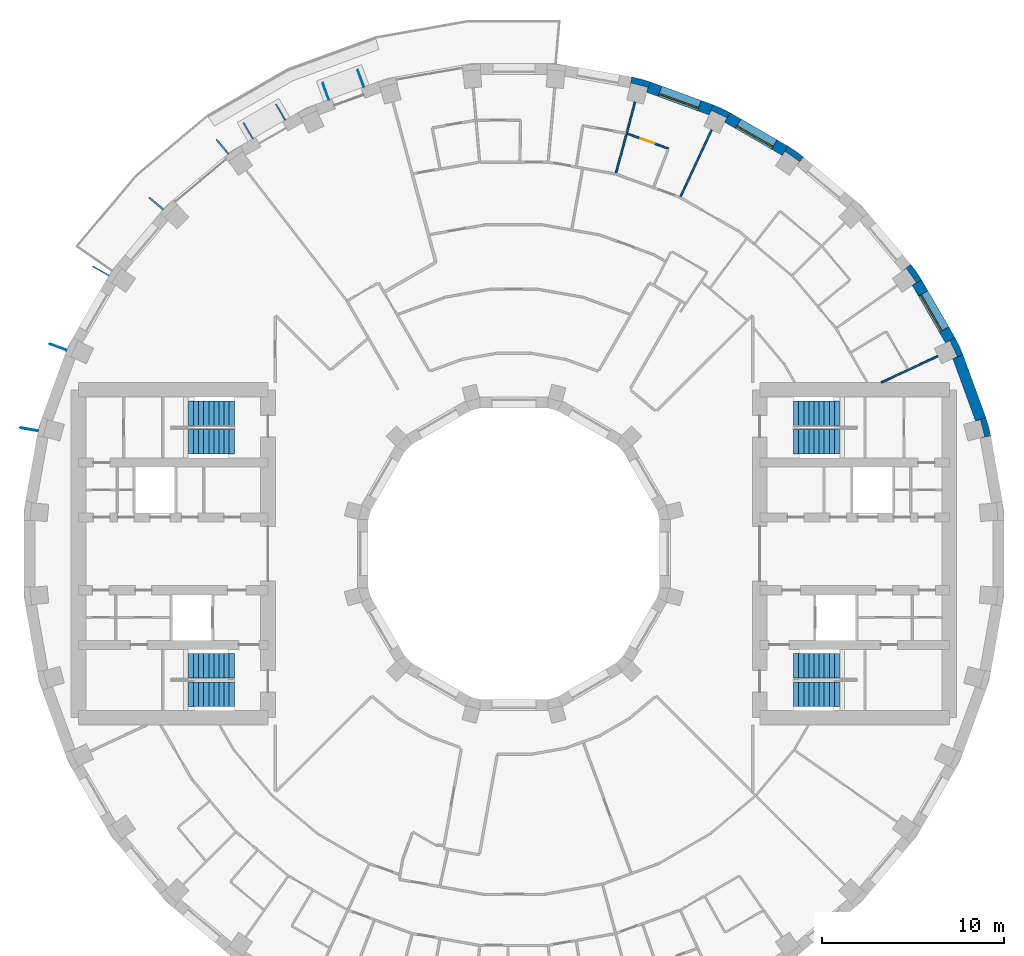
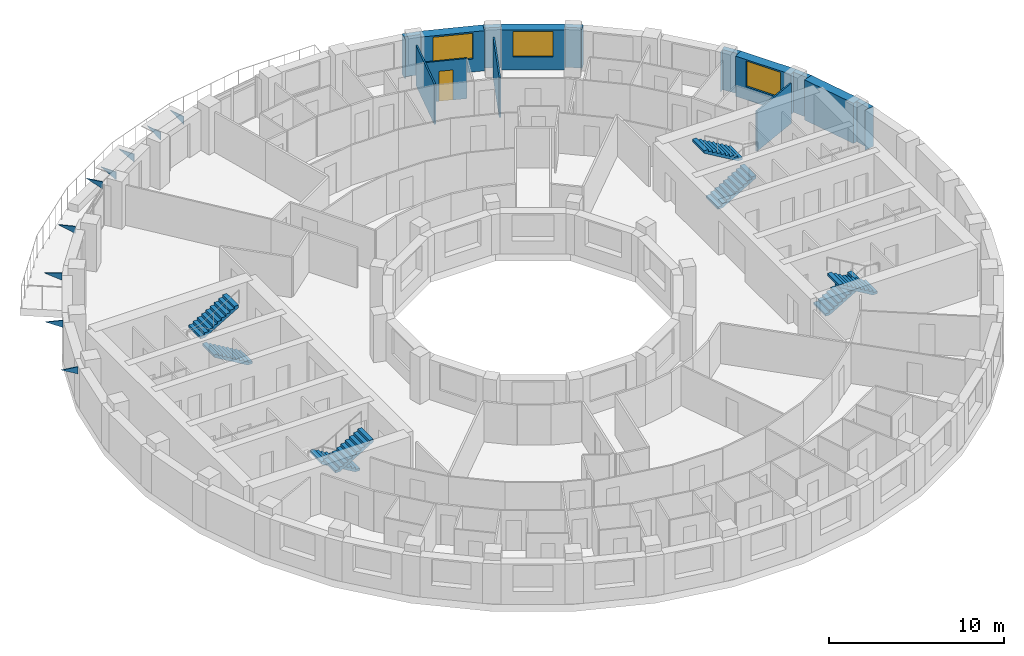
# One storey, part 13 of 14: 14 walls, 9 discrete accessories, 8 stair flights, 3 windows, 1 door, 4 openings, 4 elements without a shape of their own.
"""IFC4 building model written with IfcOpenShell, lengths in metres."""

from ifc_helpers import new_model, si_unit, direction, frame, frame_2d, origin, place, context, subcontext, project, spatial, polyline, rectangle, outline, extrude, material, layer, layer_set, type_object, element, fill, aggregate, save


model = new_model("IFC4")

# Units and contexts
model_context = context("Model", 3, precision=1e-05, world=origin(), true_north=direction((0.0, 1.0)))
body_context = subcontext(model_context, "Body", "Model", "MODEL_VIEW")
ifc_project = project(units=[si_unit("LENGTHUNIT", "METRE"), si_unit("AREAUNIT", "SQUARE_METRE"), si_unit("VOLUMEUNIT", "CUBIC_METRE"), si_unit("PLANEANGLEUNIT", "RADIAN"), si_unit("MASSUNIT", "GRAM", prefix="KILO")], contexts=[model_context])

# Site, building, storey
site_placement = place(None, origin())
site = spatial("IfcSite", under=ifc_project, at=site_placement, CompositionType="ELEMENT")
building_placement = place(site_placement, origin())
building = spatial("IfcBuilding", under=site, at=building_placement, Name="Saqina Gate Tower", CompositionType="ELEMENT")
storey_placement = place(building_placement, frame((0.0, 0.0, 98.5)))
storey = spatial("IfcBuildingStorey", under=building, at=storey_placement, Name="L27", CompositionType="ELEMENT", Elevation=98.5)

# Walls
ifc_material_1 = material(Name="Brick masonry (buff)", Category="masonry")
wall_type_1 = type_object("IfcWallType", Name="BRICK PIER COPING BUFF", PredefinedType="SOLIDWALL", material=ifc_material_1)
wall_1_placement = place(storey_placement, origin())
element("IfcWall", 1, at=wall_1_placement, inside=storey, type_object=wall_type_1, Name="Pier cap L27 column 2", PredefinedType="SOLIDWALL", context=body_context, shape_type="SweptSolid", body=[
    extrude(outline(polyline([(26.171875, 6.466796875), (25.89892578125, 7.485595703125), (25.335205078125, 7.2802734375), (25.5947265625, 7.349853515625), (25.8408203125, 6.43212890625), (25.5810546875, 6.36279296875), (26.171875, 6.466796875)])), origin(), (0.0, 0.0, 1.0), 2.800048828125),
])
wall_2_placement = place(storey_placement, origin())
element("IfcWall", 2, at=wall_2_placement, inside=storey, type_object=wall_type_1, Name="Pier cap L27 column 3", PredefinedType="SOLIDWALL", context=body_context, shape_type="SweptSolid", body=[
    extrude(outline(polyline([(24.6513671875, 10.913330078125), (24.205810546875, 11.869140625), (23.68603515625, 11.569091796875), (23.9296875, 11.6826171875), (24.331298828125, 10.82177734375), (24.08740234375, 10.7080078125), (24.6513671875, 10.913330078125)])), origin(), (0.0, 0.0, 1.0), 2.800048828125),
])
wall_3_placement = place(storey_placement, origin())
element("IfcWall", 3, at=wall_3_placement, inside=storey, type_object=wall_type_1, Name="Pier cap L27 column 4", PredefinedType="SOLIDWALL", context=body_context, shape_type="SweptSolid", body=[
    extrude(outline(polyline([(21.77685546875, 15.89208984375), (21.317138671875, 15.50634765625), (21.53759765625, 15.66064453125), (22.08251953125, 14.88232421875), (21.862060546875, 14.728271484375), (22.3818359375, 15.0283203125), (21.77685546875, 15.89208984375)])), origin(), (0.0, 0.0, 1.0), 2.800048828125),
])
wall_4_placement = place(storey_placement, origin())
element("IfcWall", 4, at=wall_4_placement, inside=storey, type_object=wall_type_1, Name="Pier cap L27 column 6", PredefinedType="SOLIDWALL", context=body_context, shape_type="SweptSolid", body=[
    extrude(outline(polyline([(15.0283203125, 22.3818359375), (14.728271484375, 21.862060546875), (14.88232421875, 22.08251953125), (15.66064453125, 21.53759765625), (15.50634765625, 21.317138671875), (15.89208984375, 21.77685546875), (15.0283203125, 22.3818359375)])), origin(), (0.0, 0.0, 1.0), 2.800048828125),
])
wall_5_placement = place(storey_placement, origin())
element("IfcWall", 5, at=wall_5_placement, inside=storey, type_object=wall_type_1, Name="Pier cap L27 column 7", PredefinedType="SOLIDWALL", context=body_context, shape_type="SweptSolid", body=[
    extrude(outline(polyline([(10.913330078125, 24.6513671875), (10.7080078125, 24.08740234375), (10.82177734375, 24.331298828125), (11.6826171875, 23.9296875), (11.569091796875, 23.68603515625), (11.869140625, 24.205810546875), (10.913330078125, 24.6513671875)])), origin(), (0.0, 0.0, 1.0), 2.800048828125),
])
wall_6_placement = place(storey_placement, origin())
element("IfcWall", 6, at=wall_6_placement, inside=storey, type_object=wall_type_1, Name="Pier cap L27 column 8", PredefinedType="SOLIDWALL", context=body_context, shape_type="SweptSolid", body=[
    extrude(outline(polyline([(7.485595703125, 25.89892578125), (6.466796875, 26.171875), (6.36279296875, 25.5810546875), (6.43212890625, 25.8408203125), (7.349853515625, 25.5947265625), (7.2802734375, 25.335205078125), (7.485595703125, 25.89892578125)])), origin(), (0.0, 0.0, 1.0), 2.800048828125),
])

# Wall, opening, window
ifc_material_2 = material(Name="Brick masonry (buff)", Category="masonry")
ifc_layer_1 = layer(ifc_material_2, 0.60009765625)
ifc_layer_set_1 = layer_set([ifc_layer_1], Name="FW-BRICK-BUFF")
wall_type_2 = type_object("IfcWallType", Name="FW-BRICK-BUFF", PredefinedType="SOLIDWALL", material=ifc_layer_set_1)
wall_7_placement = place(storey_placement, frame((23.94580078125, 11.718994140625, 0.0), z_axis=(0.0, 0.0, 1.0), x_axis=(-0.499954196102, 0.866051847062, 0.0)))
wall_7 = element("IfcWall", 7, at=wall_7_placement, inside=storey, type_object=wall_type_2, Name="Facade wall L27 facet 3", PredefinedType="SOLIDWALL", context=body_context, shape_type="SweptSolid", body=[
    extrude(rectangle(XDim=3.647705078125, YDim=0.60009765625, at=frame_2d((1.82373046875, 0.0))), origin(), (0.0, 0.0, 1.0), 2.800048828125),
])
opening_1_placement = place(wall_7_placement, frame((0.673828125, 0.0, 0.89990234375)))
opening_1 = element("IfcOpeningElement", 8, at=opening_1_placement, cuts=wall_7, Name="Opening G07-W01", PredefinedType="OPENING", context=body_context, shape_type="SweptSolid", body=[
    extrude(rectangle(XDim=2.300048828125, YDim=1.800048828125, at=frame_2d((1.14990234375, 0.89990234375))), frame((0.0, 0.31201171875, 0.0), z_axis=(0.0, -1.0, 0.0), x_axis=(1.0, 0.0, 0.0)), (0.0, 0.0, 1.0), 0.6240234375),
])
ifc_material_3 = material(Name="Aluminium glazing", Category="aluminium")
window_type = type_object("IfcWindowType", Name="WN-B", PartitioningType="SINGLE_PANEL", PredefinedType="WINDOW", material=ifc_material_3)
window_1_placement = place(opening_1_placement, origin())
window_1 = element("IfcWindow", 9, at=window_1_placement, inside=storey, type_object=window_type, Name="Window L27 facet 3", OverallHeight=1.800048828125, OverallWidth=2.300048828125, PartitioningType="SINGLE_PANEL", PredefinedType="WINDOW", context=body_context, shape_type="SweptSolid", body=[
    extrude(rectangle(XDim=2.300048828125, YDim=1.800048828125, at=frame_2d((1.14990234375, 0.89990234375))), frame((0.0, 0.179931640625, 0.0), z_axis=(0.0, -1.0, 0.0), x_axis=(1.0, 0.0, 0.0)), (0.0, 0.0, 1.0), 0.06005859375),
])
fill(opening_1, window_1)

wall_8_placement = place(storey_placement, frame((14.878173828125, 22.1220703125, 0.0), z_axis=(0.0, 0.0, 1.0), x_axis=(-0.866051847062, 0.499954196102, 0.0)))
wall_8 = element("IfcWall", 10, at=wall_8_placement, inside=storey, type_object=wall_type_2, Name="Facade wall L27 facet 6", PredefinedType="SOLIDWALL", context=body_context, shape_type="SweptSolid", body=[
    extrude(rectangle(XDim=3.647705078125, YDim=0.60009765625, at=frame_2d((1.82373046875, 0.0))), origin(), (0.0, 0.0, 1.0), 2.800048828125),
])
opening_2_placement = place(wall_8_placement, frame((0.673828125, 0.0, 0.89990234375)))
opening_2 = element("IfcOpeningElement", 11, at=opening_2_placement, cuts=wall_8, Name="Opening G07-W04", PredefinedType="OPENING", context=body_context, shape_type="SweptSolid", body=[
    extrude(rectangle(XDim=2.300048828125, YDim=1.800048828125, at=frame_2d((1.14990234375, 0.89990234375))), frame((0.0, 0.31201171875, 0.0), z_axis=(0.0, -1.0, 0.0), x_axis=(1.0, 0.0, 0.0)), (0.0, 0.0, 1.0), 0.6240234375),
])
window_2_placement = place(opening_2_placement, origin())
window_2 = element("IfcWindow", 12, at=window_2_placement, inside=storey, type_object=window_type, Name="Window L27 facet 6", OverallHeight=1.800048828125, OverallWidth=2.300048828125, PartitioningType="SINGLE_PANEL", PredefinedType="WINDOW", context=body_context, shape_type="SweptSolid", body=[
    extrude(rectangle(XDim=2.300048828125, YDim=1.800048828125, at=frame_2d((1.14990234375, 0.89990234375))), frame((0.0, 0.179931640625, 0.0), z_axis=(0.0, -1.0, 0.0), x_axis=(1.0, 0.0, 0.0)), (0.0, 0.0, 1.0), 0.06005859375),
])
fill(opening_2, window_2)

wall_9_placement = place(storey_placement, frame((10.810791015625, 24.369384765625, 0.0), z_axis=(0.0, 0.0, 1.0), x_axis=(-0.939703505393, 0.341990236633, 0.0)))
wall_9 = element("IfcWall", 13, at=wall_9_placement, inside=storey, type_object=wall_type_2, Name="Facade wall L27 facet 7", PredefinedType="SOLIDWALL", context=body_context, shape_type="SweptSolid", body=[
    extrude(rectangle(XDim=3.64794921875, YDim=0.60009765625, at=frame_2d((1.823974609375, 0.0))), origin(), (0.0, 0.0, 1.0), 2.800048828125),
])
opening_3_placement = place(wall_9_placement, frame((0.673828125, 0.0, 0.89990234375)))
opening_3 = element("IfcOpeningElement", 14, at=opening_3_placement, cuts=wall_9, Name="Opening G07-W05", PredefinedType="OPENING", context=body_context, shape_type="SweptSolid", body=[
    extrude(rectangle(XDim=2.300048828125, YDim=1.800048828125, at=frame_2d((1.14990234375, 0.89990234375))), frame((0.0, 0.31201171875, 0.0), z_axis=(0.0, -1.0, 0.0), x_axis=(1.0, 0.0, 0.0)), (0.0, 0.0, 1.0), 0.6240234375),
])
window_3_placement = place(opening_3_placement, origin())
window_3 = element("IfcWindow", 15, at=window_3_placement, inside=storey, type_object=window_type, Name="Window L27 facet 7", OverallHeight=1.800048828125, OverallWidth=2.300048828125, PartitioningType="SINGLE_PANEL", PredefinedType="WINDOW", context=body_context, shape_type="SweptSolid", body=[
    extrude(rectangle(XDim=2.300048828125, YDim=1.800048828125, at=frame_2d((1.14990234375, 0.89990234375))), frame((0.0, 0.179931640625, 0.0), z_axis=(0.0, -1.0, 0.0), x_axis=(1.0, 0.0, 0.0)), (0.0, 0.0, 1.0), 0.06005859375),
])
fill(opening_3, window_3)

# Wall
ifc_material_4 = material(Name="Glazed ceramic tile", Category="ceramic")
ifc_layer_2 = layer(ifc_material_4, 0.60009765625)
ifc_layer_set_2 = layer_set([ifc_layer_2], Name="FW-TILE")
wall_type_3 = type_object("IfcWallType", Name="FW-TILE", PredefinedType="SOLIDWALL", material=ifc_layer_set_2)
wall_10_placement = place(storey_placement, frame((25.616943359375, 7.3828125, 0.0), z_axis=(0.0, 0.0, 1.0), x_axis=(-0.341990236633, 0.939703505393, 0.0)))
element("IfcWall", 16, at=wall_10_placement, inside=storey, type_object=wall_type_3, Name="Facade wall L27 facet 2", PredefinedType="SOLIDWALL", context=body_context, shape_type="SweptSolid", body=[
    extrude(rectangle(XDim=3.64794921875, YDim=0.60009765625, at=frame_2d((1.823974609375, 0.0))), origin(), (0.0, 0.0, 1.0), 2.800048828125),
])

# Wall, opening, door
ifc_material_5 = material(Name="Gypsum board on steel studs, 100 mm", Category="steel")
ifc_layer_3 = layer(ifc_material_5, 0.10009765625)
ifc_layer_set_3 = layer_set([ifc_layer_3], Name="PARTITION 100")
wall_type_4 = type_object("IfcWallType", Name="PARTITION 100", PredefinedType="PARTITIONING", material=ifc_layer_set_3)
wall_11_placement = place(storey_placement, frame((6.22998046875, 23.056884765625, 0.0), z_axis=(0.0, 0.0, 1.0), x_axis=(0.939644231496, -0.342153062556, 0.0)))
wall_11 = element("IfcWall", 17, at=wall_11_placement, inside=storey, type_object=wall_type_4, Name="PARTITION PW3-42", PredefinedType="PARTITIONING", context=body_context, shape_type="SweptSolid", body=[
    extrude(rectangle(XDim=2.390380859375, YDim=0.10009765625, at=frame_2d((1.1953125, 0.0))), origin(), (0.0, 0.0, 1.0), 2.800048828125),
])
opening_4_placement = place(wall_11_placement, frame((0.770263671875, 0.0, 0.0)))
opening_4 = element("IfcOpeningElement", 18, at=opening_4_placement, cuts=wall_11, Name="Opening G07-D12", PredefinedType="OPENING", context=body_context, shape_type="SweptSolid", body=[
    extrude(rectangle(XDim=0.800048828125, YDim=2.10009765625, at=frame_2d((0.39990234375, 1.050048828125))), frame((0.0, 0.06201171875, 0.0), z_axis=(0.0, -1.0, 0.0), x_axis=(1.0, 0.0, 0.0)), (0.0, 0.0, 1.0), 0.1240234375),
])
ifc_material_6 = material(Name="Timber door leaf, 800 mm", Category="wood")
door_type = type_object("IfcDoorType", Name="DOOR 800 TIMBER", OperationType="SINGLE_SWING_LEFT", PredefinedType="DOOR", material=ifc_material_6)
door_placement = place(opening_4_placement, origin())
door = element("IfcDoor", 19, at=door_placement, inside=storey, type_object=door_type, Name="DOOR G07-D12", OperationType="SINGLE_SWING_LEFT", OverallHeight=2.10009765625, OverallWidth=0.800048828125, PredefinedType="DOOR", context=body_context, shape_type="SweptSolid", body=[
    extrude(rectangle(XDim=0.800048828125, YDim=2.10009765625, at=frame_2d((0.39990234375, 1.050048828125))), frame((0.0, 0.02490234375, 0.0), z_axis=(0.0, -1.0, 0.0), x_axis=(1.0, 0.0, 0.0)), (0.0, 0.0, 1.0), 0.050048828125),
])
fill(opening_4, door)

# Walls
wall_12_placement = place(storey_placement, frame((20.157958984375, 9.39990234375, 0.0), z_axis=(0.0, 0.0, 1.0), x_axis=(0.906223222272, 0.422799564114, 0.0)))
element("IfcWall", 20, at=wall_12_placement, inside=storey, type_object=wall_type_4, Name="PARTITION PW3-69", PredefinedType="PARTITIONING", context=body_context, shape_type="SweptSolid", body=[
    extrude(rectangle(XDim=3.423095703125, YDim=0.10009765625, at=frame_2d((1.71142578125, 0.0))), origin(), (0.0, 0.0, 1.0), 2.800048828125),
])
wall_13_placement = place(storey_placement, frame((9.146484375, 19.61474609375, 0.0), z_axis=(0.0, 0.0, 1.0), x_axis=(0.422622950513, 0.906305600612, 0.0)))
element("IfcWall", 21, at=wall_13_placement, inside=storey, type_object=wall_type_4, Name="PARTITION PW3-91", PredefinedType="PARTITIONING", context=body_context, shape_type="SweptSolid", body=[
    extrude(rectangle(XDim=4.0224609375, YDim=0.10009765625, at=frame_2d((2.01123046875, 0.0))), origin(), (0.0, 0.0, 1.0), 2.800048828125),
])
wall_14_placement = place(storey_placement, frame((5.598876953125, 20.89208984375, 0.0), z_axis=(0.0, 0.0, 1.0), x_axis=(0.258615129659, 0.965980442199, 0.0)))
element("IfcWall", 22, at=wall_14_placement, inside=storey, type_object=wall_type_4, Name="PARTITION PW3-96", PredefinedType="PARTITIONING", context=body_context, shape_type="SweptSolid", body=[
    extrude(rectangle(XDim=4.03564453125, YDim=0.10009765625, at=frame_2d((2.017822265625, 0.0))), origin(), (0.0, 0.0, 1.0), 2.800048828125),
])

# Stair, stair flights
ifc_material_7 = material(Name="Concrete C40/50", Category="concrete")
stair_type = type_object("IfcStairType", Name="EXIT STAIR", PredefinedType="HALF_TURN_STAIR", material=ifc_material_7)
stair_1_placement = place(storey_placement, origin())
stair_1 = element("IfcStair", 23, at=stair_1_placement, inside=storey, type_object=stair_type, Name="EXIT STAIR 1", PredefinedType="HALF_TURN_STAIR")
ifc_material_8 = material(Name="Concrete C40/50", Category="concrete")
stair_flight_type = type_object("IfcStairFlightType", Name="EXIT STAIR FLIGHT", PredefinedType="STRAIGHT", material=ifc_material_8)
stair_flight_1_placement = place(storey_placement, frame((15.35009765625, 6.1416015625, 0.0), z_axis=(0.0, 0.0, 1.0), x_axis=(1.0, 0.0, 0.0)))
stair_flight_1 = element("IfcStairFlight", 24, at=stair_flight_1_placement, type_object=stair_flight_type, Name="EXIT STAIR 1 FLIGHT 1", NumberOfRisers=10, NumberOfTreads=9, PredefinedType="STRAIGHT", RiserHeight=0.165, TreadLength=0.28, context=body_context, shape_type="SweptSolid", body=[
    extrude(outline(polyline([(0.0, 0.0), (0.0, 0.1650390625), (0.280029296875, 0.1650390625), (0.280029296875, 0.330078125), (0.56005859375, 0.330078125), (0.56005859375, 0.4951171875), (0.840087890625, 0.4951171875), (0.840087890625, 0.659912109375), (1.1201171875, 0.659912109375), (1.1201171875, 0.824951171875), (1.39990234375, 0.824951171875), (1.39990234375, 0.989990234375), (1.679931640625, 0.989990234375), (1.679931640625, 1.155029296875), (1.9599609375, 1.155029296875), (1.9599609375, 1.320068359375), (2.239990234375, 1.320068359375), (2.239990234375, 1.485107421875), (2.52001953125, 1.485107421875), (2.52001953125, 1.64990234375), (2.52001953125, 1.31103515625), (0.295166015625, 0.0), (0.0, 0.0)])), frame((0.0, 0.675048828125, 0.0), z_axis=(0.0, -1.0, 0.0), x_axis=(1.0, 0.0, 0.0)), (0.0, 0.0, 1.0), 1.35009765625),
])
stair_flight_2_placement = place(storey_placement, frame((17.8701171875, 7.708251953125, 1.64990234375), z_axis=(0.0, 0.0, 1.0), x_axis=(-1.0, 0.0, 0.0)))
stair_flight_2 = element("IfcStairFlight", 25, at=stair_flight_2_placement, type_object=stair_flight_type, Name="EXIT STAIR 1 FLIGHT 2", NumberOfRisers=10, NumberOfTreads=9, PredefinedType="STRAIGHT", RiserHeight=0.165, TreadLength=0.28, context=body_context, shape_type="SweptSolid", body=[
    extrude(outline(polyline([(0.0, 0.0), (0.0, 0.1650390625), (0.280029296875, 0.1650390625), (0.280029296875, 0.330078125), (0.56005859375, 0.330078125), (0.56005859375, 0.4951171875), (0.840087890625, 0.4951171875), (0.840087890625, 0.659912109375), (1.1201171875, 0.659912109375), (1.1201171875, 0.824951171875), (1.39990234375, 0.824951171875), (1.39990234375, 0.989990234375), (1.679931640625, 0.989990234375), (1.679931640625, 1.155029296875), (1.9599609375, 1.155029296875), (1.9599609375, 1.320068359375), (2.239990234375, 1.320068359375), (2.239990234375, 1.485107421875), (2.52001953125, 1.485107421875), (2.52001953125, 1.64990234375), (2.52001953125, 1.31103515625), (0.295166015625, 0.0), (0.0, 0.0)])), frame((0.0, 0.675048828125, 0.0), z_axis=(0.0, -1.0, 0.0), x_axis=(1.0, 0.0, 0.0)), (0.0, 0.0, 1.0), 1.35009765625),
])
aggregate(stair_1, [stair_flight_1, stair_flight_2])

stair_2_placement = place(storey_placement, origin())
stair_2 = element("IfcStair", 26, at=stair_2_placement, inside=storey, type_object=stair_type, Name="EXIT STAIR 2", PredefinedType="HALF_TURN_STAIR")
stair_flight_3_placement = place(storey_placement, frame((15.35009765625, -6.1416015625, 0.0), z_axis=(0.0, 0.0, 1.0), x_axis=(1.0, 0.0, 0.0)))
stair_flight_3 = element("IfcStairFlight", 27, at=stair_flight_3_placement, type_object=stair_flight_type, Name="EXIT STAIR 2 FLIGHT 1", NumberOfRisers=10, NumberOfTreads=9, PredefinedType="STRAIGHT", RiserHeight=0.165, TreadLength=0.28, context=body_context, shape_type="SweptSolid", body=[
    extrude(outline(polyline([(0.0, 0.0), (0.0, 0.1650390625), (0.280029296875, 0.1650390625), (0.280029296875, 0.330078125), (0.56005859375, 0.330078125), (0.56005859375, 0.4951171875), (0.840087890625, 0.4951171875), (0.840087890625, 0.659912109375), (1.1201171875, 0.659912109375), (1.1201171875, 0.824951171875), (1.39990234375, 0.824951171875), (1.39990234375, 0.989990234375), (1.679931640625, 0.989990234375), (1.679931640625, 1.155029296875), (1.9599609375, 1.155029296875), (1.9599609375, 1.320068359375), (2.239990234375, 1.320068359375), (2.239990234375, 1.485107421875), (2.52001953125, 1.485107421875), (2.52001953125, 1.64990234375), (2.52001953125, 1.31103515625), (0.295166015625, 0.0), (0.0, 0.0)])), frame((0.0, 0.675048828125, 0.0), z_axis=(0.0, -1.0, 0.0), x_axis=(1.0, 0.0, 0.0)), (0.0, 0.0, 1.0), 1.35009765625),
])
stair_flight_4_placement = place(storey_placement, frame((17.8701171875, -7.708251953125, 1.64990234375), z_axis=(0.0, 0.0, 1.0), x_axis=(-1.0, 0.0, 0.0)))
stair_flight_4 = element("IfcStairFlight", 28, at=stair_flight_4_placement, type_object=stair_flight_type, Name="EXIT STAIR 2 FLIGHT 2", NumberOfRisers=10, NumberOfTreads=9, PredefinedType="STRAIGHT", RiserHeight=0.165, TreadLength=0.28, context=body_context, shape_type="SweptSolid", body=[
    extrude(outline(polyline([(0.0, 0.0), (0.0, 0.1650390625), (0.280029296875, 0.1650390625), (0.280029296875, 0.330078125), (0.56005859375, 0.330078125), (0.56005859375, 0.4951171875), (0.840087890625, 0.4951171875), (0.840087890625, 0.659912109375), (1.1201171875, 0.659912109375), (1.1201171875, 0.824951171875), (1.39990234375, 0.824951171875), (1.39990234375, 0.989990234375), (1.679931640625, 0.989990234375), (1.679931640625, 1.155029296875), (1.9599609375, 1.155029296875), (1.9599609375, 1.320068359375), (2.239990234375, 1.320068359375), (2.239990234375, 1.485107421875), (2.52001953125, 1.485107421875), (2.52001953125, 1.64990234375), (2.52001953125, 1.31103515625), (0.295166015625, 0.0), (0.0, 0.0)])), frame((0.0, 0.675048828125, 0.0), z_axis=(0.0, -1.0, 0.0), x_axis=(1.0, 0.0, 0.0)), (0.0, 0.0, 1.0), 1.35009765625),
])
aggregate(stair_2, [stair_flight_3, stair_flight_4])

stair_3_placement = place(storey_placement, origin())
stair_3 = element("IfcStair", 29, at=stair_3_placement, inside=storey, type_object=stair_type, Name="EXIT STAIR 3", PredefinedType="HALF_TURN_STAIR")
stair_flight_5_placement = place(storey_placement, frame((-15.35009765625, 6.1416015625, 0.0), z_axis=(0.0, 0.0, 1.0), x_axis=(-1.0, 0.0, 0.0)))
stair_flight_5 = element("IfcStairFlight", 30, at=stair_flight_5_placement, type_object=stair_flight_type, Name="EXIT STAIR 3 FLIGHT 1", NumberOfRisers=10, NumberOfTreads=9, PredefinedType="STRAIGHT", RiserHeight=0.165, TreadLength=0.28, context=body_context, shape_type="SweptSolid", body=[
    extrude(outline(polyline([(0.0, 0.0), (0.0, 0.1650390625), (0.280029296875, 0.1650390625), (0.280029296875, 0.330078125), (0.56005859375, 0.330078125), (0.56005859375, 0.4951171875), (0.840087890625, 0.4951171875), (0.840087890625, 0.659912109375), (1.1201171875, 0.659912109375), (1.1201171875, 0.824951171875), (1.39990234375, 0.824951171875), (1.39990234375, 0.989990234375), (1.679931640625, 0.989990234375), (1.679931640625, 1.155029296875), (1.9599609375, 1.155029296875), (1.9599609375, 1.320068359375), (2.239990234375, 1.320068359375), (2.239990234375, 1.485107421875), (2.52001953125, 1.485107421875), (2.52001953125, 1.64990234375), (2.52001953125, 1.31103515625), (0.295166015625, 0.0), (0.0, 0.0)])), frame((0.0, 0.675048828125, 0.0), z_axis=(0.0, -1.0, 0.0), x_axis=(1.0, 0.0, 0.0)), (0.0, 0.0, 1.0), 1.35009765625),
])
stair_flight_6_placement = place(storey_placement, frame((-17.8701171875, 7.708251953125, 1.64990234375), z_axis=(0.0, 0.0, 1.0), x_axis=(1.0, 0.0, 0.0)))
stair_flight_6 = element("IfcStairFlight", 31, at=stair_flight_6_placement, type_object=stair_flight_type, Name="EXIT STAIR 3 FLIGHT 2", NumberOfRisers=10, NumberOfTreads=9, PredefinedType="STRAIGHT", RiserHeight=0.165, TreadLength=0.28, context=body_context, shape_type="SweptSolid", body=[
    extrude(outline(polyline([(0.0, 0.0), (0.0, 0.1650390625), (0.280029296875, 0.1650390625), (0.280029296875, 0.330078125), (0.56005859375, 0.330078125), (0.56005859375, 0.4951171875), (0.840087890625, 0.4951171875), (0.840087890625, 0.659912109375), (1.1201171875, 0.659912109375), (1.1201171875, 0.824951171875), (1.39990234375, 0.824951171875), (1.39990234375, 0.989990234375), (1.679931640625, 0.989990234375), (1.679931640625, 1.155029296875), (1.9599609375, 1.155029296875), (1.9599609375, 1.320068359375), (2.239990234375, 1.320068359375), (2.239990234375, 1.485107421875), (2.52001953125, 1.485107421875), (2.52001953125, 1.64990234375), (2.52001953125, 1.31103515625), (0.295166015625, 0.0), (0.0, 0.0)])), frame((0.0, 0.675048828125, 0.0), z_axis=(0.0, -1.0, 0.0), x_axis=(1.0, 0.0, 0.0)), (0.0, 0.0, 1.0), 1.35009765625),
])
aggregate(stair_3, [stair_flight_5, stair_flight_6])

stair_4_placement = place(storey_placement, origin())
stair_4 = element("IfcStair", 32, at=stair_4_placement, inside=storey, type_object=stair_type, Name="EXIT STAIR 4", PredefinedType="HALF_TURN_STAIR")
stair_flight_7_placement = place(storey_placement, frame((-15.35009765625, -6.1416015625, 0.0), z_axis=(0.0, 0.0, 1.0), x_axis=(-1.0, 0.0, 0.0)))
stair_flight_7 = element("IfcStairFlight", 33, at=stair_flight_7_placement, type_object=stair_flight_type, Name="EXIT STAIR 4 FLIGHT 1", NumberOfRisers=10, NumberOfTreads=9, PredefinedType="STRAIGHT", RiserHeight=0.165, TreadLength=0.28, context=body_context, shape_type="SweptSolid", body=[
    extrude(outline(polyline([(0.0, 0.0), (0.0, 0.1650390625), (0.280029296875, 0.1650390625), (0.280029296875, 0.330078125), (0.56005859375, 0.330078125), (0.56005859375, 0.4951171875), (0.840087890625, 0.4951171875), (0.840087890625, 0.659912109375), (1.1201171875, 0.659912109375), (1.1201171875, 0.824951171875), (1.39990234375, 0.824951171875), (1.39990234375, 0.989990234375), (1.679931640625, 0.989990234375), (1.679931640625, 1.155029296875), (1.9599609375, 1.155029296875), (1.9599609375, 1.320068359375), (2.239990234375, 1.320068359375), (2.239990234375, 1.485107421875), (2.52001953125, 1.485107421875), (2.52001953125, 1.64990234375), (2.52001953125, 1.31103515625), (0.295166015625, 0.0), (0.0, 0.0)])), frame((0.0, 0.675048828125, 0.0), z_axis=(0.0, -1.0, 0.0), x_axis=(1.0, 0.0, 0.0)), (0.0, 0.0, 1.0), 1.35009765625),
])
stair_flight_8_placement = place(storey_placement, frame((-17.8701171875, -7.708251953125, 1.64990234375), z_axis=(0.0, 0.0, 1.0), x_axis=(1.0, 0.0, 0.0)))
stair_flight_8 = element("IfcStairFlight", 34, at=stair_flight_8_placement, type_object=stair_flight_type, Name="EXIT STAIR 4 FLIGHT 2", NumberOfRisers=10, NumberOfTreads=9, PredefinedType="STRAIGHT", RiserHeight=0.165, TreadLength=0.28, context=body_context, shape_type="SweptSolid", body=[
    extrude(outline(polyline([(0.0, 0.0), (0.0, 0.1650390625), (0.280029296875, 0.1650390625), (0.280029296875, 0.330078125), (0.56005859375, 0.330078125), (0.56005859375, 0.4951171875), (0.840087890625, 0.4951171875), (0.840087890625, 0.659912109375), (1.1201171875, 0.659912109375), (1.1201171875, 0.824951171875), (1.39990234375, 0.824951171875), (1.39990234375, 0.989990234375), (1.679931640625, 0.989990234375), (1.679931640625, 1.155029296875), (1.9599609375, 1.155029296875), (1.9599609375, 1.320068359375), (2.239990234375, 1.320068359375), (2.239990234375, 1.485107421875), (2.52001953125, 1.485107421875), (2.52001953125, 1.64990234375), (2.52001953125, 1.31103515625), (0.295166015625, 0.0), (0.0, 0.0)])), frame((0.0, 0.675048828125, 0.0), z_axis=(0.0, -1.0, 0.0), x_axis=(1.0, 0.0, 0.0)), (0.0, 0.0, 1.0), 1.35009765625),
])
aggregate(stair_4, [stair_flight_7, stair_flight_8])

# Discrete accessories
ifc_material_9 = material(Name="Galvanised steel", Category="steel")
ifc_layer_4 = layer(ifc_material_9, 0.050048828125)
ifc_layer_set_4 = layer_set([ifc_layer_4], Name="BR-AWNING")
discrete_accessory_type_1 = type_object("IfcDiscreteAccessoryType", Name="BR-AWNING", PredefinedType="BRACKET", material=ifc_layer_set_4)
for number, where, z_axis, x_axis, name in (
    (35, (-8.2607421875, 25.61669921875, 1.97509765625), (-0.939686455819, -0.342037080957, 0.0), (0.0, 0.0, 1.0), "Awning bracket L27 facet 11"),
    (36, (-10.18505859375, 24.91650390625, 1.97509765625), (-0.939686455819, -0.342037080957, 0.0), (0.0, 0.0, 1.0), "Awning bracket L27 facet 11"),
):
    element("IfcDiscreteAccessory", number, at=place(storey_placement, frame(where, z_axis=z_axis, x_axis=x_axis)), inside=storey, type_object=discrete_accessory_type_1, Name=name, PredefinedType="BRACKET", context=body_context, shape_type="SweptSolid", body=[
        extrude(outline(polyline([(0.0, 0.0), (0.5498046875, 0.0), (0.5498046875, 1.0000115036302748), (0.0, 0.0)])), origin(), (0.0, 0.0, -1.0), 0.050048828125),
    ])
for number, where, z_axis, x_axis, name in (
    (37, (-12.58349609375, 23.793212890625, 1.97509765625), (-0.866010750942, -0.50002537861, 0.0), (0.0, 0.0, 1.0), "Awning bracket L27 facet 12"),
    (38, (-14.35693359375, 22.769287109375, 1.97509765625), (-0.866010750942, -0.50002537861, 0.0), (0.0, 0.0, 1.0), "Awning bracket L27 facet 12"),
):
    element("IfcDiscreteAccessory", number, at=place(storey_placement, frame(where, z_axis=z_axis, x_axis=x_axis)), inside=storey, type_object=discrete_accessory_type_1, Name=name, PredefinedType="BRACKET", context=body_context, shape_type="SweptSolid", body=[
        extrude(outline(polyline([(0.0, 0.0), (0.5498046875, 0.0), (0.5498046875, 0.9999492453569568), (0.0, 0.0)])), origin(), (0.0, 0.0, -1.0), 0.050048828125),
    ])
ifc_material_10 = material(Name="Galvanised steel", Category="steel")
ifc_layer_5 = layer(ifc_material_10, 0.050048828125)
ifc_layer_set_5 = layer_set([ifc_layer_5], Name="BR-GUSSET")
discrete_accessory_type_2 = type_object("IfcDiscreteAccessoryType", Name="BR-GUSSET", PredefinedType="BRACKET", material=ifc_layer_set_5)
for number, where, z_axis, x_axis, name in (
    (39, (-15.697265625, 21.940185546875, 2.300048828125), (-0.766055819685, -0.64277405138, 0.0), (0.0, 0.0, 1.0), "Terrace slab bracket L28 1"),
    (40, (-19.2685546875, 18.881103515625, 2.300048828125), (-0.64277405138, -0.766055819685, 0.0), (0.0, 0.0, 1.0), "Terrace slab bracket L28 2"),
):
    element("IfcDiscreteAccessory", number, at=place(storey_placement, frame(where, z_axis=z_axis, x_axis=x_axis)), inside=storey, type_object=discrete_accessory_type_2, Name=name, PredefinedType="BRACKET", context=body_context, shape_type="SweptSolid", body=[
        extrude(outline(polyline([(0.0, 0.0), (0.5, 0.0), (0.5, 1.0000750096322275), (0.0, 0.0)])), origin(), (0.0, 0.0, -1.0), 0.050048828125),
    ])
discrete_accessory_1_placement = place(storey_placement, frame((-22.254638671875, 15.248291015625, 2.300048828125), z_axis=(-0.50002537861, -0.866010750942, 0.0), x_axis=(0.0, 0.0, 1.0)))
element("IfcDiscreteAccessory", 41, at=discrete_accessory_1_placement, inside=storey, type_object=discrete_accessory_type_2, Name="Terrace slab bracket L28 3", PredefinedType="BRACKET", context=body_context, shape_type="SweptSolid", body=[
    extrude(outline(polyline([(0.0, 0.0), (0.5, 0.0), (0.5, 0.9999492453569568), (0.0, 0.0)])), origin(), (0.0, 0.0, -1.0), 0.050048828125),
])
discrete_accessory_2_placement = place(storey_placement, frame((-24.564453125, 11.15234375, 2.300048828125), z_axis=(-0.342037080957, -0.939686455819, 0.0), x_axis=(0.0, 0.0, 1.0)))
element("IfcDiscreteAccessory", 42, at=discrete_accessory_2_placement, inside=storey, type_object=discrete_accessory_type_2, Name="Terrace slab bracket L28 4", PredefinedType="BRACKET", context=body_context, shape_type="SweptSolid", body=[
    extrude(outline(polyline([(0.0, 0.0), (0.5, 0.0), (0.5, 1.000011503630275), (0.0, 0.0)])), origin(), (0.0, 0.0, -1.0), 0.050048828125),
])
discrete_accessory_3_placement = place(storey_placement, frame((-26.127685546875, 6.71728515625, 2.300048828125), z_axis=(-0.173576426815, -0.984820401928, 0.0), x_axis=(0.0, 0.0, 1.0)))
element("IfcDiscreteAccessory", 43, at=discrete_accessory_3_placement, inside=storey, type_object=discrete_accessory_type_2, Name="Terrace slab bracket L28 5", PredefinedType="BRACKET", context=body_context, shape_type="SweptSolid", body=[
    extrude(outline(polyline([(0.0, 0.0), (0.5, 0.0), (0.5, 1.000043540245132), (0.0, 0.0)])), origin(), (0.0, 0.0, -1.0), 0.050048828125),
])

save(model, "model.ifc")
